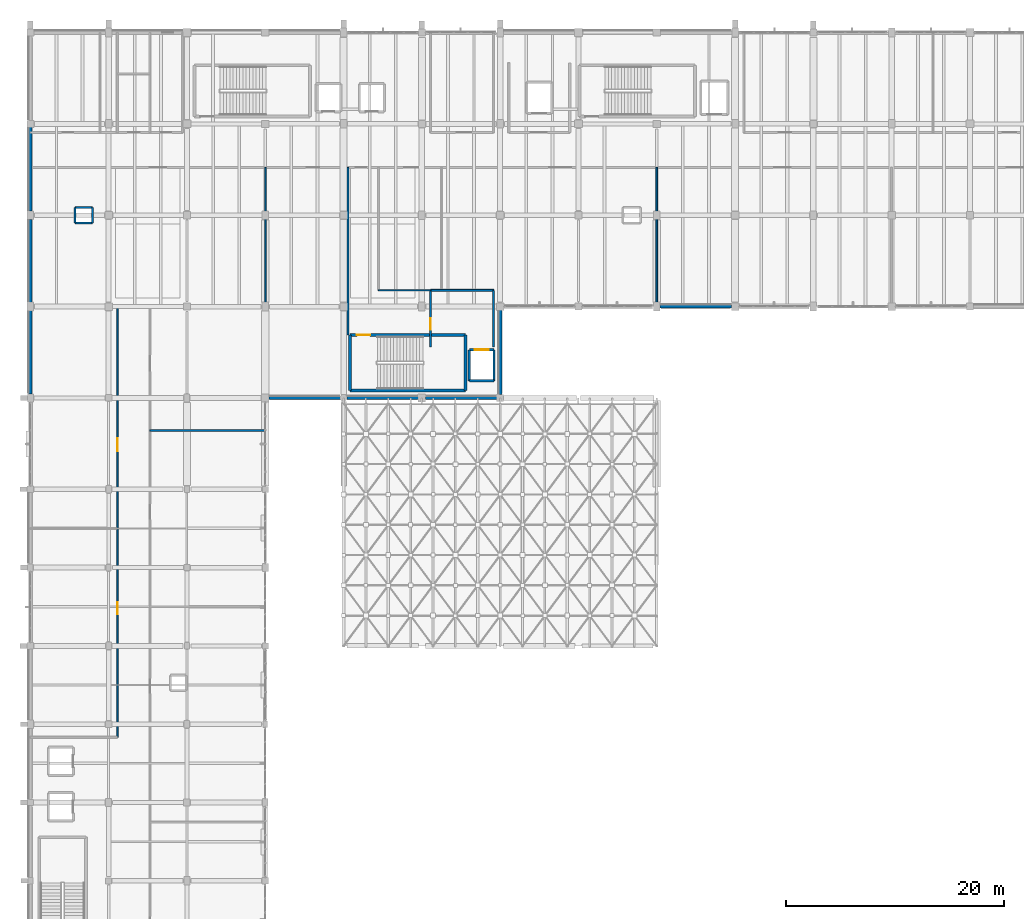
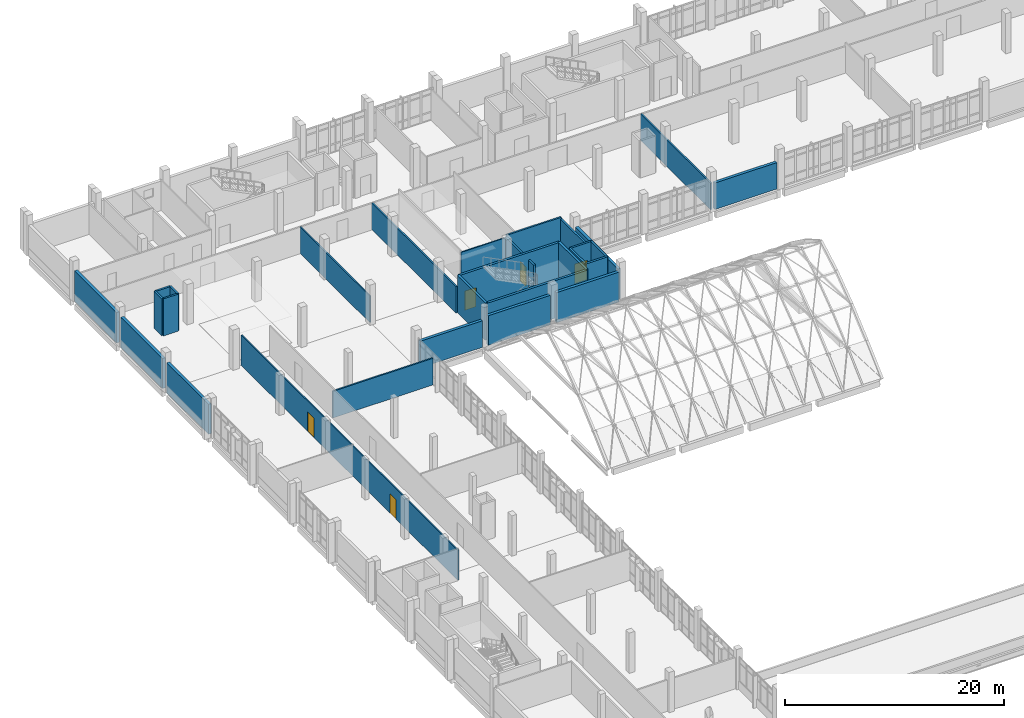
# One storey, part 75 of 87: 29 walls, 5 doors, 5 openings.
"""IFC4 building model written with IfcOpenShell, lengths in metres."""

from ifc_helpers import new_model, si_unit, direction, frame, frame_2d, origin, place, context, subcontext, project, spatial, rectangle, extrude, material, layer, layer_set, type_object, element, fill, save


model = new_model("IFC4")

# Units and contexts
model_context = context("Model", 3, precision=1e-05, world=origin(), true_north=direction((0.0, 1.0)))
body_context = subcontext(model_context, "Body", "Model", "MODEL_VIEW")
ifc_project = project(units=[si_unit("LENGTHUNIT", "METRE"), si_unit("AREAUNIT", "SQUARE_METRE"), si_unit("VOLUMEUNIT", "CUBIC_METRE"), si_unit("PLANEANGLEUNIT", "RADIAN"), si_unit("MASSUNIT", "GRAM", prefix="KILO")], contexts=[model_context])

# Site, building, storey
site_placement = place(None, origin())
site = spatial("IfcSite", under=ifc_project, at=site_placement, CompositionType="ELEMENT")
building_placement = place(site_placement, origin())
building = spatial("IfcBuilding", under=site, at=building_placement, Name="Kalluvel Institute of Natural Sciences", CompositionType="ELEMENT")
storey_placement = place(building_placement, frame((0.0, 0.0, 18.89990234375)))
storey = spatial("IfcBuildingStorey", under=building, at=storey_placement, Name="L04", CompositionType="ELEMENT", Elevation=18.89990234375)

# Walls
ifc_material_1 = material(Name="Concrete M40", Category="concrete")
ifc_layer_1 = layer(ifc_material_1, 0.25)
ifc_layer_set_1 = layer_set([ifc_layer_1], Name="Concrete M40")
wall_type_1 = type_object("IfcWallType", Name="WL-CORE-250", PredefinedType="SHEAR", material=ifc_layer_set_1)
wall_1_placement = place(storey_placement, frame((43.385009765625, 95.0849609375, 0.0), z_axis=(0.0, 0.0, 1.0), x_axis=(1.0, 0.0, 0.0)))
element("IfcWall", 1, at=wall_1_placement, inside=storey, type_object=wall_type_1, Name="ST3 L04 core wall S", PredefinedType="SHEAR", context=body_context, shape_type="SweptSolid", body=[
    extrude(rectangle(XDim=10.6298828125, YDim=0.25, at=frame_2d((5.31494140625, 0.0))), origin(), (0.0, 0.0, 1.0), 4.175048828125),
])
wall_2_placement = place(storey_placement, frame((54.014892578125, 95.0849609375, 0.0), z_axis=(0.0, 0.0, 1.0), x_axis=(0.0, 1.0, 0.0)))
element("IfcWall", 2, at=wall_2_placement, inside=storey, type_object=wall_type_1, Name="ST3 L04 core wall E", PredefinedType="SHEAR", context=body_context, shape_type="SweptSolid", body=[
    extrude(rectangle(XDim=5.10009765625, YDim=0.25, at=frame_2d((2.550048828125, 0.0))), origin(), (0.0, 0.0, 1.0), 4.175048828125),
])

# Wall, opening, door
wall_3_placement = place(storey_placement, frame((54.014892578125, 100.18505859375, 0.0), z_axis=(0.0, 0.0, 1.0), x_axis=(-1.0, 0.0, 0.0)))
wall_3 = element("IfcWall", 3, at=wall_3_placement, inside=storey, type_object=wall_type_1, Name="ST3 L04 core wall N", PredefinedType="SHEAR", context=body_context, shape_type="SweptSolid", body=[
    extrude(rectangle(XDim=10.6298828125, YDim=0.25, at=frame_2d((5.31494140625, 0.0))), origin(), (0.0, 0.0, 1.0), 4.175048828125),
])
opening_1_placement = place(wall_3_placement, frame((8.780029296875, 0.0, 0.0)))
opening_1 = element("IfcOpeningElement", 4, at=opening_1_placement, cuts=wall_3, Name="Opening DS-028", PredefinedType="OPENING", context=body_context, shape_type="SweptSolid", body=[
    extrude(rectangle(XDim=1.199951171875, YDim=2.14990234375, at=frame_2d((0.60009765625, 1.074951171875))), frame((0.0, 0.135009765625, 0.0), z_axis=(0.0, -1.0, 0.0), x_axis=(1.0, 0.0, 0.0)), (0.0, 0.0, 1.0), 0.27001953125),
])
ifc_material_2 = material(Name="Galvanized Fire-Rated Steel", Category="steel")
door_type_1 = type_object("IfcDoorType", Name="DR-ST-1200", OperationType="NOTDEFINED", PredefinedType="DOOR", material=ifc_material_2)
door_1_placement = place(opening_1_placement, origin())
door_1 = element("IfcDoor", 5, at=door_1_placement, inside=storey, type_object=door_type_1, Name="ST3 L04 protected stair door DS-028", OperationType="SINGLE_SWING_RIGHT", OverallHeight=2.14990234375, OverallWidth=1.199951171875, PredefinedType="DOOR", context=body_context, shape_type="SweptSolid", body=[
    extrude(rectangle(XDim=1.199951171875, YDim=2.14990234375, at=frame_2d((0.60009765625, 1.074951171875))), frame((0.0, 0.02490234375, 0.0), z_axis=(0.0, -1.0, 0.0), x_axis=(1.0, 0.0, 0.0)), (0.0, 0.0, 1.0), 0.050048828125),
])
fill(opening_1, door_1)

# Walls
wall_4_placement = place(storey_placement, frame((43.385009765625, 100.18505859375, 0.0), z_axis=(0.0, 0.0, 1.0), x_axis=(0.0, -1.0, 0.0)))
element("IfcWall", 6, at=wall_4_placement, inside=storey, type_object=wall_type_1, Name="ST3 L04 core wall W", PredefinedType="SHEAR", context=body_context, shape_type="SweptSolid", body=[
    extrude(rectangle(XDim=5.10009765625, YDim=0.25, at=frame_2d((2.550048828125, 0.0))), origin(), (0.0, 0.0, 1.0), 4.175048828125),
])
ifc_material_3 = material(Name="Sadarahalli Grey Granite Ashlar Concrete M40", Category="masonry")
ifc_layer_2 = layer(ifc_material_3, 0.300048828125)
ifc_layer_set_2 = layer_set([ifc_layer_2], Name="Sadarahalli Grey Granite Ashlar Concrete M40")
wall_type_2 = type_object("IfcWallType", Name="WL-EXT-300", PredefinedType="SOLIDWALL", material=ifc_layer_set_2)
wall_5_placement = place(storey_placement, frame((71.8798828125, 102.800048828125, 0.0), z_axis=(0.0, 0.0, 1.0), x_axis=(1.0, 0.0, 0.0)))
element("IfcWall", 7, at=wall_5_placement, inside=storey, type_object=wall_type_2, Name="L04 Sadarahalli granite exterior wall WL-EXT-L04-0057", PredefinedType="SOLIDWALL", context=body_context, shape_type="SweptSolid", body=[
    extrude(rectangle(XDim=6.590087890625, YDim=0.300048828125, at=frame_2d((3.294921875, 0.0))), origin(), (0.0, 0.0, 1.0), 2.955078125),
])
wall_6_placement = place(storey_placement, frame((35.929931640625, 94.39990234375, 0.0), z_axis=(0.0, 0.0, 1.0), x_axis=(1.0, 0.0, 0.0)))
element("IfcWall", 8, at=wall_6_placement, inside=storey, type_object=wall_type_2, Name="L04 Sadarahalli granite exterior wall WL-EXT-L04-0113", PredefinedType="SOLIDWALL", context=body_context, shape_type="SweptSolid", body=[
    extrude(rectangle(XDim=6.565185546875, YDim=0.300048828125, at=frame_2d((3.28271484375, 0.0))), origin(), (0.0, 0.0, 1.0), 2.97509765625),
])
wall_7_placement = place(storey_placement, frame((43.10498046875, 94.39990234375, 0.0), z_axis=(0.0, 0.0, 1.0), x_axis=(1.0, 0.0, 0.0)))
element("IfcWall", 9, at=wall_7_placement, inside=storey, type_object=wall_type_2, Name="L04 Sadarahalli granite exterior wall WL-EXT-L04-0114", PredefinedType="SOLIDWALL", context=body_context, shape_type="SweptSolid", body=[
    extrude(rectangle(XDim=6.56494140625, YDim=0.300048828125, at=frame_2d((3.282470703125, 0.0))), origin(), (0.0, 0.0, 1.0), 3.30517578125),
])
wall_8_placement = place(storey_placement, frame((50.330078125, 94.39990234375, 0.0), z_axis=(0.0, 0.0, 1.0), x_axis=(1.0, 0.0, 0.0)))
element("IfcWall", 10, at=wall_8_placement, inside=storey, type_object=wall_type_2, Name="L04 Sadarahalli granite exterior wall WL-EXT-L04-0115", PredefinedType="SOLIDWALL", context=body_context, shape_type="SweptSolid", body=[
    extrude(rectangle(XDim=6.56494140625, YDim=0.300048828125, at=frame_2d((3.282470703125, 0.0))), origin(), (0.0, 0.0, 1.0), 3.35498046875),
])
wall_9_placement = place(storey_placement, frame((57.199951171875, 94.705078125, 0.0), z_axis=(0.0, 0.0, 1.0), x_axis=(0.0, 1.0, 0.0)))
element("IfcWall", 11, at=wall_9_placement, inside=storey, type_object=wall_type_2, Name="L04 Sadarahalli granite exterior wall WL-EXT-L04-0116", PredefinedType="SOLIDWALL", context=body_context, shape_type="SweptSolid", body=[
    extrude(rectangle(XDim=7.764892578125, YDim=0.300048828125, at=frame_2d((3.88232421875, 0.0))), origin(), (0.0, 0.0, 1.0), 3.35498046875),
])
wall_10_placement = place(storey_placement, frame((14.0, 94.7548828125, 0.0), z_axis=(0.0, 0.0, 1.0), x_axis=(0.0, 1.0, 0.0)))
element("IfcWall", 12, at=wall_10_placement, inside=storey, type_object=wall_type_2, Name="L04 Sadarahalli granite exterior wall WL-EXT-L04-0187", PredefinedType="SOLIDWALL", context=body_context, shape_type="SweptSolid", body=[
    extrude(rectangle(XDim=7.6650390625, YDim=0.300048828125, at=frame_2d((3.83251953125, 0.0))), origin(), (0.0, 0.0, 1.0), 3.35498046875),
])
ifc_layer_3 = layer(ifc_material_3, 0.320068359375)
ifc_layer_set_3 = layer_set([ifc_layer_3], Name="Sadarahalli Grey Granite Ashlar Concrete M40")
wall_type_3 = type_object("IfcWallType", Name="WL-EXT-320", PredefinedType="SOLIDWALL", material=ifc_layer_set_3)
wall_11_placement = place(storey_placement, frame((14.0, 103.179931640625, 0.0), z_axis=(0.0, 0.0, 1.0), x_axis=(0.0, 1.0, 0.0)))
element("IfcWall", 13, at=wall_11_placement, inside=storey, type_object=wall_type_3, Name="L04 Sadarahalli granite exterior wall WL-EXT-L04-0059", PredefinedType="SOLIDWALL", context=body_context, shape_type="SweptSolid", body=[
    extrude(rectangle(XDim=7.64013671875, YDim=0.320068359375, at=frame_2d((3.820068359375, 0.0))), origin(), (0.0, 0.0, 1.0), 3.35498046875),
])
wall_12_placement = place(storey_placement, frame((14.0, 111.580078125, 0.0), z_axis=(0.0, 0.0, 1.0), x_axis=(0.0, 1.0, 0.0)))
element("IfcWall", 14, at=wall_12_placement, inside=storey, type_object=wall_type_3, Name="L04 Sadarahalli granite exterior wall WL-EXT-L04-0060", PredefinedType="SOLIDWALL", context=body_context, shape_type="SweptSolid", body=[
    extrude(rectangle(XDim=7.71484375, YDim=0.320068359375, at=frame_2d((3.857421875, 0.0))), origin(), (0.0, 0.0, 1.0), 3.405029296875),
])
ifc_material_4 = material(Name="Autoclaved Aerated Concrete Masonry Block", Category="masonry")
ifc_layer_4 = layer(ifc_material_4, 0.179931640625)
ifc_layer_set_4 = layer_set([ifc_layer_4], Name="Autoclaved Aerated Concrete Masonry Block")
wall_type_4 = type_object("IfcWallType", Name="WL-FIRE-180", PredefinedType="SOLIDWALL", material=ifc_layer_set_4)
wall_13_placement = place(storey_placement, frame((50.800048828125, 104.300048828125, 0.0), z_axis=(0.0, 0.0, 1.0), x_axis=(1.0, 0.0, 0.0)))
element("IfcWall", 15, at=wall_13_placement, inside=storey, type_object=wall_type_4, Name="L04 interior fire wall WL-INT-L04-0209", PredefinedType="SOLIDWALL", context=body_context, shape_type="SweptSolid", body=[
    extrude(rectangle(XDim=5.800048828125, YDim=0.179931640625, at=frame_2d((2.89990234375, 0.0))), origin(), (0.0, 0.0, 1.0), 3.56005859375),
])

# Wall, opening, door
ifc_layer_5 = layer(ifc_material_4, 0.199951171875)
ifc_layer_set_5 = layer_set([ifc_layer_5], Name="Autoclaved Aerated Concrete Masonry Block")
wall_type_5 = type_object("IfcWallType", Name="WL-FIRE-200", PredefinedType="SOLIDWALL", material=ifc_layer_set_5)
wall_14_placement = place(storey_placement, frame((50.800048828125, 99.10009765625, 0.0), z_axis=(0.0, 0.0, 1.0), x_axis=(0.0, 1.0, 0.0)))
wall_14 = element("IfcWall", 16, at=wall_14_placement, inside=storey, type_object=wall_type_5, Name="L04 interior fire wall WL-INT-L04-0207", PredefinedType="SOLIDWALL", context=body_context, shape_type="SweptSolid", body=[
    extrude(rectangle(XDim=5.199951171875, YDim=0.199951171875, at=frame_2d((2.60009765625, 0.0))), origin(), (0.0, 0.0, 1.0), 3.360107421875),
])
opening_2_placement = place(wall_14_placement, frame((1.550048828125, 0.0, 0.0)))
opening_2 = element("IfcOpeningElement", 17, at=opening_2_placement, cuts=wall_14, Name="Opening D-170", PredefinedType="OPENING", context=body_context, shape_type="SweptSolid", body=[
    extrude(rectangle(XDim=1.10009765625, YDim=2.14990234375, at=frame_2d((0.550048828125, 1.074951171875))), frame((0.0, 0.10986328125, 0.0), z_axis=(0.0, -1.0, 0.0), x_axis=(1.0, 0.0, 0.0)), (0.0, 0.0, 1.0), 0.219970703125),
])
door_type_2 = type_object("IfcDoorType", Name="DR-FD60-1100", OperationType="NOTDEFINED", PredefinedType="DOOR", material=ifc_material_2)
door_2_placement = place(opening_2_placement, origin())
door_2 = element("IfcDoor", 18, at=door_2_placement, inside=storey, type_object=door_type_2, Name="L04 ST3-FF2 link door D-170", OperationType="SINGLE_SWING_LEFT", OverallHeight=2.14990234375, OverallWidth=1.10009765625, PredefinedType="DOOR", context=body_context, shape_type="SweptSolid", body=[
    extrude(rectangle(XDim=1.10009765625, YDim=2.14990234375, at=frame_2d((0.550048828125, 1.074951171875))), frame((0.0, 0.02490234375, 0.0), z_axis=(0.0, -1.0, 0.0), x_axis=(1.0, 0.0, 0.0)), (0.0, 0.0, 1.0), 0.050048828125),
])
fill(opening_2, door_2)

# Walls
wall_15_placement = place(storey_placement, frame((56.60009765625, 99.10009765625, 0.0), z_axis=(0.0, 0.0, 1.0), x_axis=(0.0, 1.0, 0.0)))
element("IfcWall", 19, at=wall_15_placement, inside=storey, type_object=wall_type_5, Name="L04 interior fire wall WL-INT-L04-0208", PredefinedType="SOLIDWALL", context=body_context, shape_type="SweptSolid", body=[
    extrude(rectangle(XDim=5.199951171875, YDim=0.199951171875, at=frame_2d((2.60009765625, 0.0))), origin(), (0.0, 0.0, 1.0), 3.360107421875),
])
ifc_material_5 = material(Name="Acoustic Gypsum Twin-Stud Partition", Category="gypsum")
ifc_layer_6 = layer(ifc_material_5, 0.1201171875)
ifc_layer_set_6 = layer_set([ifc_layer_6], Name="Acoustic Gypsum Twin-Stud Partition")
wall_type_6 = type_object("IfcWallType", Name="WL-PART-120", PredefinedType="PARTITIONING", material=ifc_layer_set_6)
wall_16_placement = place(storey_placement, frame((46.0, 104.300048828125, 0.0), z_axis=(0.0, 0.0, 1.0), x_axis=(1.0, 0.0, 0.0)))
element("IfcWall", 20, at=wall_16_placement, inside=storey, type_object=wall_type_6, Name="L04 interior partition wall WL-INT-L04-0212", PredefinedType="PARTITIONING", context=body_context, shape_type="SweptSolid", body=[
    extrude(rectangle(XDim=4.800048828125, YDim=0.1201171875, at=frame_2d((2.39990234375, 0.0))), origin(), (0.0, 0.0, 1.0), 3.31005859375),
])

# Wall, openings, doors
wall_17_placement = place(storey_placement, frame((22.0, 63.199951171875, 0.0), z_axis=(0.0, 0.0, 1.0), x_axis=(0.0, 1.0, 0.0)))
wall_17 = element("IfcWall", 21, at=wall_17_placement, inside=storey, type_object=wall_type_6, Name="L04 interior partition wall WL-INT-L04-0236", PredefinedType="PARTITIONING", context=body_context, shape_type="SweptSolid", body=[
    extrude(rectangle(XDim=39.60009765625, YDim=0.1201171875, at=frame_2d((19.800048828125, 0.0))), origin(), (0.0, 0.0, 1.0), 3.380126953125),
])
opening_3_placement = place(wall_17_placement, frame((11.300048828125, 0.0, 0.0)))
opening_3 = element("IfcOpeningElement", 22, at=opening_3_placement, cuts=wall_17, Name="Opening D-190", PredefinedType="OPENING", context=body_context, shape_type="SweptSolid", body=[
    extrude(rectangle(XDim=1.10009765625, YDim=2.14990234375, at=frame_2d((0.550048828125, 1.074951171875))), frame((0.0, 0.070068359375, 0.0), z_axis=(0.0, -1.0, 0.0), x_axis=(1.0, 0.0, 0.0)), (0.0, 0.0, 1.0), 0.14013671875),
])
opening_4_placement = place(wall_17_placement, frame((26.300048828125, 0.0, 0.0)))
opening_4 = element("IfcOpeningElement", 23, at=opening_4_placement, cuts=wall_17, Name="Opening D-191", PredefinedType="OPENING", context=body_context, shape_type="SweptSolid", body=[
    extrude(rectangle(XDim=1.179931640625, YDim=2.199951171875, at=frame_2d((0.58984375, 1.10009765625))), frame((0.0, 0.070068359375, 0.0), z_axis=(0.0, -1.0, 0.0), x_axis=(1.0, 0.0, 0.0)), (0.0, 0.0, 1.0), 0.14013671875),
])
ifc_material_6 = material(Name="Engineered Hardwood Acoustic Leaf", Category="wood")
door_type_3 = type_object("IfcDoorType", Name="DR-INT-1100", OperationType="NOTDEFINED", PredefinedType="DOOR", material=ifc_material_6)
door_3_placement = place(opening_3_placement, origin())
door_3 = element("IfcDoor", 24, at=door_3_placement, inside=storey, type_object=door_type_3, Name="L04 DW-N1 door D-190", OperationType="SINGLE_SWING_LEFT", OverallHeight=2.14990234375, OverallWidth=1.10009765625, PredefinedType="DOOR", context=body_context, shape_type="SweptSolid", body=[
    extrude(rectangle(XDim=1.10009765625, YDim=2.14990234375, at=frame_2d((0.550048828125, 1.074951171875))), frame((0.0, 0.02490234375, 0.0), z_axis=(0.0, -1.0, 0.0), x_axis=(1.0, 0.0, 0.0)), (0.0, 0.0, 1.0), 0.050048828125),
])
fill(opening_3, door_3)
door_type_4 = type_object("IfcDoorType", Name="DR-INT-1180", OperationType="NOTDEFINED", PredefinedType="DOOR", material=ifc_material_6)
door_4_placement = place(opening_4_placement, origin())
door_4 = element("IfcDoor", 25, at=door_4_placement, inside=storey, type_object=door_type_4, Name="L04 DW-N2 door D-191", OperationType="SINGLE_SWING_RIGHT", OverallHeight=2.199951171875, OverallWidth=1.179931640625, PredefinedType="DOOR", context=body_context, shape_type="SweptSolid", body=[
    extrude(rectangle(XDim=1.179931640625, YDim=2.199951171875, at=frame_2d((0.58984375, 1.10009765625))), frame((0.0, 0.02490234375, 0.0), z_axis=(0.0, -1.0, 0.0), x_axis=(1.0, 0.0, 0.0)), (0.0, 0.0, 1.0), 0.050048828125),
])
fill(opening_4, door_4)

# Walls
ifc_layer_7 = layer(ifc_material_5, 0.139892578125)
ifc_layer_set_7 = layer_set([ifc_layer_7], Name="Acoustic Gypsum Twin-Stud Partition")
wall_type_7 = type_object("IfcWallType", Name="WL-PART-140", PredefinedType="PARTITIONING", material=ifc_layer_set_7)
wall_18_placement = place(storey_placement, frame((35.60009765625, 102.800048828125, 0.0), z_axis=(0.0, 0.0, 1.0), x_axis=(0.0, 1.0, 0.0)))
element("IfcWall", 26, at=wall_18_placement, inside=storey, type_object=wall_type_7, Name="L04 interior partition wall WL-INT-L04-0226", PredefinedType="PARTITIONING", context=body_context, shape_type="SweptSolid", body=[
    extrude(rectangle(XDim=12.800048828125, YDim=0.139892578125, at=frame_2d((6.39990234375, 0.0))), origin(), (0.0, 0.0, 1.0), 2.960205078125),
])
ifc_layer_8 = layer(ifc_material_4, 0.159912109375)
ifc_layer_set_8 = layer_set([ifc_layer_8], Name="Autoclaved Aerated Concrete Masonry Block")
wall_type_8 = type_object("IfcWallType", Name="WL-PART-160", PredefinedType="PARTITIONING", material=ifc_layer_set_8)
wall_19_placement = place(storey_placement, frame((43.199951171875, 100.199951171875, 0.0), z_axis=(0.0, 0.0, 1.0), x_axis=(0.0, 1.0, 0.0)))
element("IfcWall", 27, at=wall_19_placement, inside=storey, type_object=wall_type_8, Name="L04 interior partition wall WL-INT-L04-0210", PredefinedType="PARTITIONING", context=body_context, shape_type="SweptSolid", body=[
    extrude(rectangle(XDim=15.400146484375, YDim=0.159912109375, at=frame_2d((7.7001953125, 0.0))), origin(), (0.0, 0.0, 1.0), 2.960205078125),
])
wall_20_placement = place(storey_placement, frame((71.60009765625, 102.800048828125, 0.0), z_axis=(0.0, 0.0, 1.0), x_axis=(0.0, 1.0, 0.0)))
element("IfcWall", 28, at=wall_20_placement, inside=storey, type_object=wall_type_8, Name="L04 interior partition wall WL-INT-L04-0228", PredefinedType="PARTITIONING", context=body_context, shape_type="SweptSolid", body=[
    extrude(rectangle(XDim=12.800048828125, YDim=0.159912109375, at=frame_2d((6.39990234375, 0.0))), origin(), (0.0, 0.0, 1.0), 2.960205078125),
])
wall_21_placement = place(storey_placement, frame((25.0, 91.39990234375, 0.0), z_axis=(0.0, 0.0, 1.0), x_axis=(1.0, 0.0, 0.0)))
element("IfcWall", 29, at=wall_21_placement, inside=storey, type_object=wall_type_8, Name="L04 interior partition wall WL-INT-L04-0234", PredefinedType="PARTITIONING", context=body_context, shape_type="SweptSolid", body=[
    extrude(rectangle(XDim=10.60009765625, YDim=0.159912109375, at=frame_2d((5.300048828125, 0.0))), origin(), (0.0, 0.0, 1.0), 2.97998046875),
])
ifc_layer_9 = layer(ifc_material_1, 0.199951171875)
ifc_layer_set_9 = layer_set([ifc_layer_9], Name="Concrete M40")
wall_type_9 = type_object("IfcWallType", Name="WL-RISER-200", PredefinedType="SHEAR", material=ifc_layer_set_9)
wall_22_placement = place(storey_placement, frame((18.10009765625, 110.5, 0.0), z_axis=(0.0, 0.0, 1.0), x_axis=(1.0, 0.0, 0.0)))
element("IfcWall", 30, at=wall_22_placement, inside=storey, type_object=wall_type_9, Name="RS-WET-W L04 service riser enclosure S", PredefinedType="SHEAR", context=body_context, shape_type="SweptSolid", body=[
    extrude(rectangle(XDim=1.599853515625, YDim=0.199951171875, at=frame_2d((0.7998046875, 0.0))), origin(), (0.0, 0.0, 1.0), 4.14013671875),
])
wall_23_placement = place(storey_placement, frame((19.699951171875, 110.5, 0.0), z_axis=(0.0, 0.0, 1.0), x_axis=(0.0, 1.0, 0.0)))
element("IfcWall", 31, at=wall_23_placement, inside=storey, type_object=wall_type_9, Name="RS-WET-W L04 service riser enclosure E", PredefinedType="SHEAR", context=body_context, shape_type="SweptSolid", body=[
    extrude(rectangle(XDim=1.39990234375, YDim=0.199951171875, at=frame_2d((0.699951171875, 0.0))), origin(), (0.0, 0.0, 1.0), 4.14013671875),
])
wall_24_placement = place(storey_placement, frame((19.699951171875, 111.89990234375, 0.0), z_axis=(0.0, 0.0, 1.0), x_axis=(-1.0, 0.0, 0.0)))
element("IfcWall", 32, at=wall_24_placement, inside=storey, type_object=wall_type_9, Name="RS-WET-W L04 service riser enclosure N", PredefinedType="SHEAR", context=body_context, shape_type="SweptSolid", body=[
    extrude(rectangle(XDim=1.599853515625, YDim=0.199951171875, at=frame_2d((0.7998046875, 0.0))), origin(), (0.0, 0.0, 1.0), 4.14013671875),
])
wall_25_placement = place(storey_placement, frame((18.10009765625, 111.89990234375, 0.0), z_axis=(0.0, 0.0, 1.0), x_axis=(0.0, -1.0, 0.0)))
element("IfcWall", 33, at=wall_25_placement, inside=storey, type_object=wall_type_9, Name="RS-WET-W L04 service riser enclosure W", PredefinedType="SHEAR", context=body_context, shape_type="SweptSolid", body=[
    extrude(rectangle(XDim=1.39990234375, YDim=0.199951171875, at=frame_2d((0.699951171875, 0.0))), origin(), (0.0, 0.0, 1.0), 4.14013671875),
])
ifc_layer_10 = layer(ifc_material_1, 0.219970703125)
ifc_layer_set_10 = layer_set([ifc_layer_10], Name="Concrete M40")
wall_type_10 = type_object("IfcWallType", Name="WL-SHAFT-220", PredefinedType="SHEAR", material=ifc_layer_set_10)
wall_26_placement = place(storey_placement, frame((54.3701171875, 95.969970703125, 0.0), z_axis=(0.0, 0.0, 1.0), x_axis=(1.0, 0.0, 0.0)))
element("IfcWall", 34, at=wall_26_placement, inside=storey, type_object=wall_type_10, Name="LF8 L04 lift shaft wall", PredefinedType="SHEAR", context=body_context, shape_type="SweptSolid", body=[
    extrude(rectangle(XDim=2.259765625, YDim=0.219970703125, at=frame_2d((1.1298828125, 0.0))), origin(), (0.0, 0.0, 1.0), 4.175048828125),
])
wall_27_placement = place(storey_placement, frame((56.6298828125, 95.969970703125, 0.0), z_axis=(0.0, 0.0, 1.0), x_axis=(0.0, 1.0, 0.0)))
element("IfcWall", 35, at=wall_27_placement, inside=storey, type_object=wall_type_10, Name="LF8 L04 lift shaft wall", PredefinedType="SHEAR", context=body_context, shape_type="SweptSolid", body=[
    extrude(rectangle(XDim=2.860107421875, YDim=0.219970703125, at=frame_2d((1.43017578125, 0.0))), origin(), (0.0, 0.0, 1.0), 4.175048828125),
])

# Wall, opening, door
wall_28_placement = place(storey_placement, frame((56.6298828125, 98.830078125, 0.0), z_axis=(0.0, 0.0, 1.0), x_axis=(-1.0, 0.0, 0.0)))
wall_28 = element("IfcWall", 36, at=wall_28_placement, inside=storey, type_object=wall_type_10, Name="LF8 L04 lift shaft wall", PredefinedType="SHEAR", context=body_context, shape_type="SweptSolid", body=[
    extrude(rectangle(XDim=2.259765625, YDim=0.219970703125, at=frame_2d((1.1298828125, 0.0))), origin(), (0.0, 0.0, 1.0), 4.175048828125),
])
opening_5_placement = place(wall_28_placement, frame((0.47998046875, 0.0, 0.0)))
opening_5 = element("IfcOpeningElement", 37, at=opening_5_placement, cuts=wall_28, Name="Opening LD-064", PredefinedType="OPENING", context=body_context, shape_type="SweptSolid", body=[
    extrude(rectangle(XDim=1.300048828125, YDim=2.199951171875, at=frame_2d((0.64990234375, 1.10009765625))), frame((0.0, 0.119873046875, 0.0), z_axis=(0.0, -1.0, 0.0), x_axis=(1.0, 0.0, 0.0)), (0.0, 0.0, 1.0), 0.239990234375),
])
door_type_5 = type_object("IfcDoorType", Name="DR-LD-1300", OperationType="NOTDEFINED", PredefinedType="DOOR", material=ifc_material_2)
door_5_placement = place(opening_5_placement, origin())
door_5 = element("IfcDoor", 38, at=door_5_placement, inside=storey, type_object=door_type_5, Name="LF8 L04 sliding lift landing door LD-064", OperationType="DOUBLE_DOOR_SLIDING", OverallHeight=2.199951171875, OverallWidth=1.300048828125, PredefinedType="DOOR", context=body_context, shape_type="SweptSolid", body=[
    extrude(rectangle(XDim=1.300048828125, YDim=2.199951171875, at=frame_2d((0.64990234375, 1.10009765625))), frame((0.0, 0.02490234375, 0.0), z_axis=(0.0, -1.0, 0.0), x_axis=(1.0, 0.0, 0.0)), (0.0, 0.0, 1.0), 0.050048828125),
])
fill(opening_5, door_5)

# Wall
wall_29_placement = place(storey_placement, frame((54.3701171875, 98.830078125, 0.0), z_axis=(0.0, 0.0, 1.0), x_axis=(0.0, -1.0, 0.0)))
element("IfcWall", 39, at=wall_29_placement, inside=storey, type_object=wall_type_10, Name="LF8 L04 lift shaft wall", PredefinedType="SHEAR", context=body_context, shape_type="SweptSolid", body=[
    extrude(rectangle(XDim=2.860107421875, YDim=0.219970703125, at=frame_2d((1.43017578125, 0.0))), origin(), (0.0, 0.0, 1.0), 4.175048828125),
])

save(model, "model.ifc")
